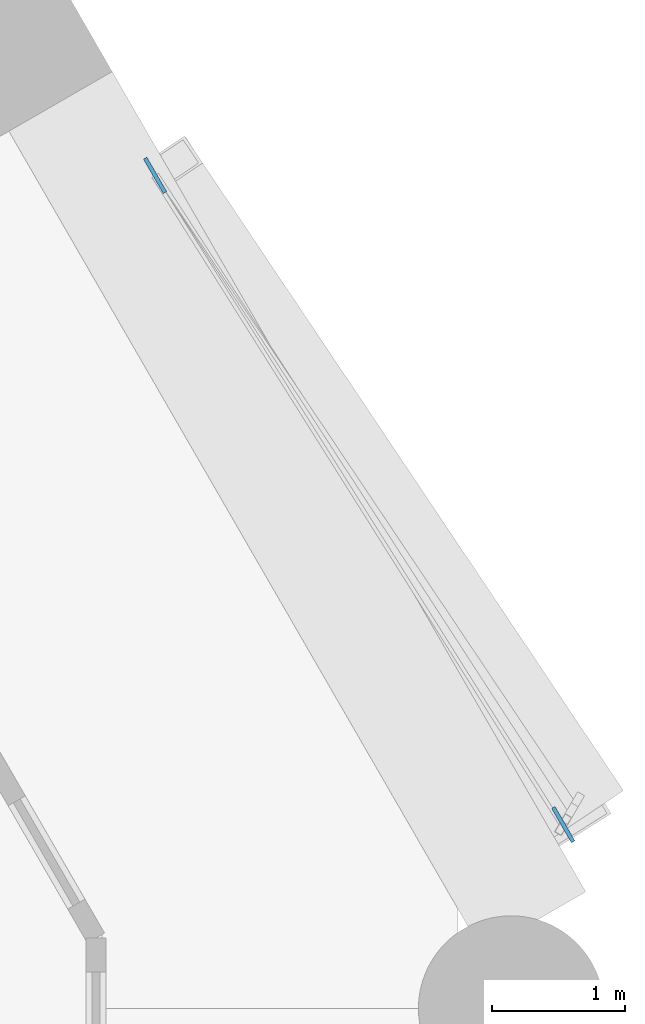
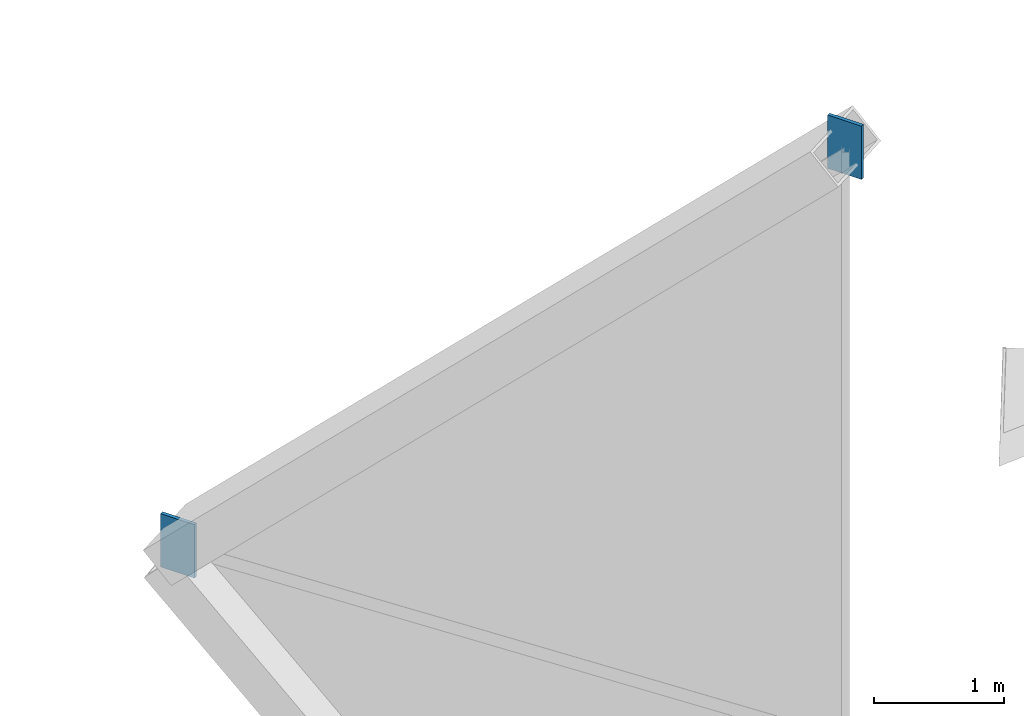
# One storey, part 34 of 35: 2 discrete accessories.
"""IFC4 building model written with IfcOpenShell, lengths in metres."""

from ifc_helpers import new_model, si_unit, direction, frame, origin, origin_2d, place, context, subcontext, project, spatial, rectangle, extrude, material, layer, layer_set, type_object, element, save


model = new_model("IFC4")

# Units and contexts
model_context = context("Model", 3, precision=1e-05, world=origin(), true_north=direction((0.0, 1.0)))
body_context = subcontext(model_context, "Body", "Model", "MODEL_VIEW")
ifc_project = project(units=[si_unit("LENGTHUNIT", "METRE"), si_unit("AREAUNIT", "SQUARE_METRE"), si_unit("VOLUMEUNIT", "CUBIC_METRE"), si_unit("PLANEANGLEUNIT", "RADIAN"), si_unit("MASSUNIT", "GRAM", prefix="KILO")], contexts=[model_context])

# Site, building, storey
site_placement = place(None, origin())
site = spatial("IfcSite", under=ifc_project, at=site_placement, CompositionType="ELEMENT")
building_placement = place(site_placement, origin())
building = spatial("IfcBuilding", under=site, at=building_placement, Name="Ostrander Bayou Hotel Tower", CompositionType="ELEMENT")
storey_placement = place(building_placement, frame((0.0, 0.0, 69.25)))
storey = spatial("IfcBuildingStorey", under=building, at=storey_placement, Name="L17", CompositionType="ELEMENT", Elevation=69.25)

# Discrete accessories
ifc_material = material(Name="Steel ASTM A572 Gr 50", Category="steel")
ifc_layer = layer(ifc_material, 0.030029296875)
ifc_layer_set = layer_set([ifc_layer], Name="GP1 gusset plate 30 mm")
discrete_accessory_type = type_object("IfcDiscreteAccessoryType", Name="GP1 gusset plate 30 mm", PredefinedType="BRACKET", material=ifc_layer_set)
for number, where, z_axis, x_axis, name in (
    (1, (20.94189453125, 5.468505859375, 4.77490234375), (0.0, 0.0, 1.0), (-0.5, 0.866025403784, 0.0), "GP1 gusset plate lat 130"),
    (2, (24.021484375, 0.569580078125, 10.39990234375), (0.0, 0.0, 1.0), (-0.5, 0.866025403784, 0.0), "GP1 gusset plate lat 131"),
):
    element("IfcDiscreteAccessory", number, at=place(storey_placement, frame(where, z_axis=z_axis, x_axis=x_axis)), inside=storey, type_object=discrete_accessory_type, Name=name, PredefinedType="BRACKET", context=body_context, shape_type="SweptSolid", body=[
        extrude(rectangle(XDim=0.300048828125, YDim=0.030029296875, at=origin_2d()), origin(), (0.0, 0.0, 1.0), 0.5),
    ])

save(model, "model.ifc")
